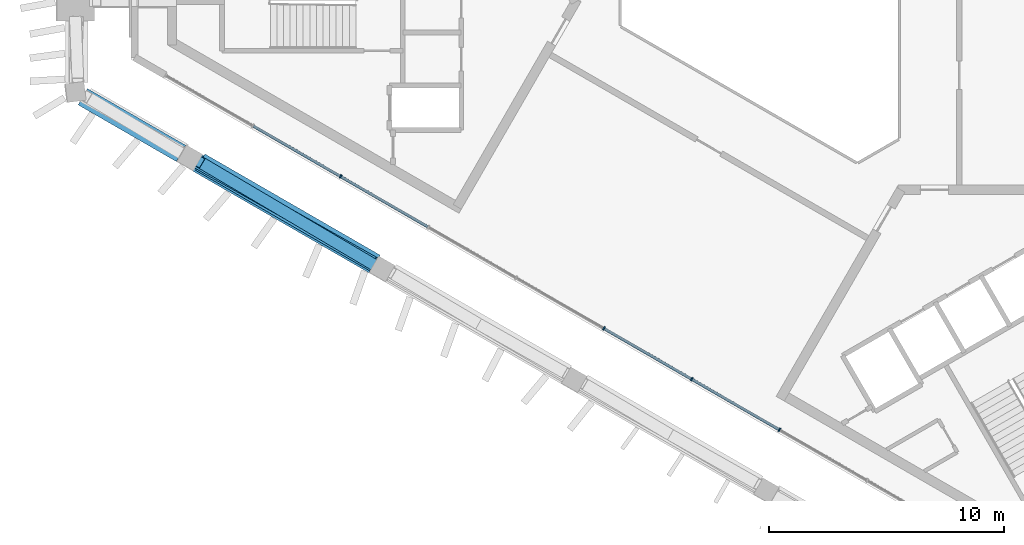
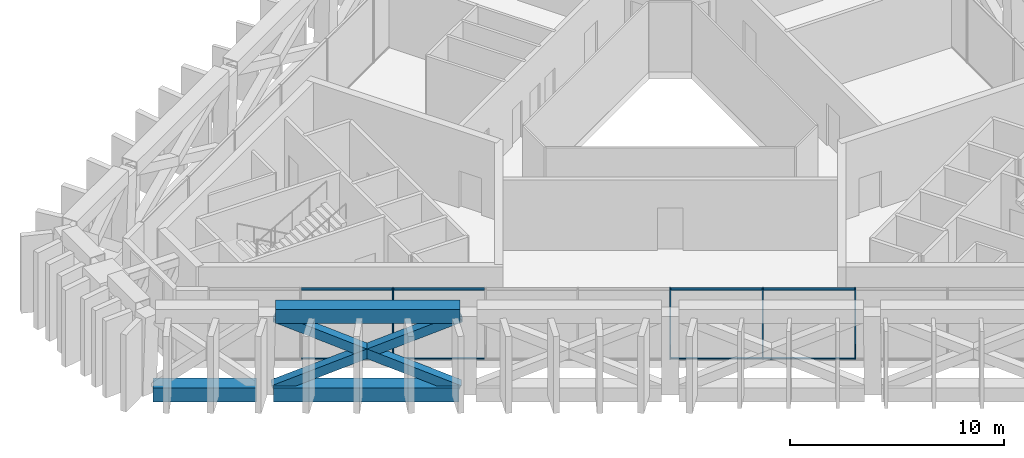
# One storey, part 2 of 12: 17 members, 1 element without a shape of its own.
"""IFC4 building model written with IfcOpenShell, lengths in metres."""

from ifc_helpers import new_model, si_unit, direction, frame, origin, origin_2d, place, context, subcontext, project, spatial, rectangle, hollow_rectangle, extrude, material, layer, layer_set, material_profile, profile_set, type_object, element, aggregate, save


model = new_model("IFC4")

# Units and contexts
model_context = context("Model", 3, precision=1e-05, world=origin(), true_north=direction((0.0, 1.0)))
body_context = subcontext(model_context, "Body", "Model", "MODEL_VIEW")
ifc_project = project(units=[si_unit("LENGTHUNIT", "METRE"), si_unit("AREAUNIT", "SQUARE_METRE"), si_unit("VOLUMEUNIT", "CUBIC_METRE"), si_unit("PLANEANGLEUNIT", "RADIAN"), si_unit("MASSUNIT", "GRAM", prefix="KILO")], contexts=[model_context])

# Site, building, storey
site_placement = place(None, origin())
site = spatial("IfcSite", under=ifc_project, at=site_placement, CompositionType="ELEMENT")
building_placement = place(site_placement, origin())
building = spatial("IfcBuilding", under=site, at=building_placement, Name="Jabali Bay Hotel Tower and Convention Centre", CompositionType="ELEMENT")
storey_placement = place(building_placement, frame((0.0, 0.0, 300.39990234375)))
storey = spatial("IfcBuildingStorey", under=building, at=storey_placement, Name="L74", CompositionType="ELEMENT", Elevation=300.39990234375)

# Members
ifc_material_1 = material(Name="Steel Q420GJC", Category="steel")
ifc_material_profile_1 = material_profile(ifc_material_1, hollow_rectangle(XDim=0.5, YDim=0.5, WallThickness=0.030029296875, at=origin_2d()), Name="Belt brace 500x500x30")
ifc_profile_set_1 = profile_set([ifc_material_profile_1], Name="Steel Q420GJC")
member_type_1 = type_object("IfcMemberType", Name="Belt brace 500x500x30", PredefinedType="BRACE", material=ifc_profile_set_1)
member_1_placement = place(storey_placement, frame((49.674072265625, 73.159423828125, 0.185302734375), z_axis=(0.790089140846, -0.44637401894, 0.420130199738), x_axis=(0.491891798651, 0.870656337724, 0.0)))
element("IfcMember", 1, at=member_1_placement, inside=storey, type_object=member_type_1, Name="Belt brace T6 F2.1-F2.2 x1", PredefinedType="BRACE", context=body_context, shape_type="SweptSolid", body=[
    extrude(hollow_rectangle(XDim=0.5, YDim=0.5, WallThickness=0.030029296875, at=origin_2d()), origin(), (0.0, 0.0, 1.0), 9.591064453125),
])
member_2_placement = place(storey_placement, frame((57.170654296875, 68.831298828125, 0.18798828125), z_axis=(-0.779461615758, 0.459930606789, 0.425327434454), x_axis=(-0.508188410768, -0.86124592258, 0.0)))
element("IfcMember", 2, at=member_2_placement, inside=storey, type_object=member_type_1, Name="Belt brace T6 F2.1-F2.2 x2", PredefinedType="BRACE", context=body_context, shape_type="SweptSolid", body=[
    extrude(hollow_rectangle(XDim=0.5, YDim=0.5, WallThickness=0.030029296875, at=origin_2d()), origin(), (0.0, 0.0, 1.0), 9.46142578125),
])
ifc_material_profile_2 = material_profile(ifc_material_1, hollow_rectangle(XDim=0.800048828125, YDim=0.800048828125, WallThickness=0.0400390625, at=origin_2d()), Name="Belt chord 800x800x40")
ifc_profile_set_2 = profile_set([ifc_material_profile_2], Name="Steel Q420GJC")
member_type_2 = type_object("IfcMemberType", Name="Belt chord 800x800x40", PredefinedType="CHORD", material=ifc_profile_set_2)
member_3_placement = place(storey_placement, frame((44.80078125, 75.968505859375, 0.0), z_axis=(0.866033069333, -0.499986722646, 0.0), x_axis=(0.499986722646, 0.866033069333, 0.0)))
element("IfcMember", 3, at=member_3_placement, inside=storey, type_object=member_type_2, Name="Belt chord T6 V4-F2.1", PredefinedType="CHORD", context=body_context, shape_type="SweptSolid", body=[
    extrude(hollow_rectangle(XDim=0.800048828125, YDim=0.800048828125, WallThickness=0.0400390625, at=origin_2d()), origin(), (0.0, 0.0, 1.0), 4.824951171875),
])
member_4_placement = place(storey_placement, frame((49.672119140625, 73.156005859375, 0.0), z_axis=(0.866026837124, -0.499997517375, 0.0), x_axis=(0.499997517375, 0.866026837124, 0.0)))
element("IfcMember", 4, at=member_4_placement, inside=storey, type_object=member_type_2, Name="Belt chord T6 F2.1-F2.2", PredefinedType="CHORD", context=body_context, shape_type="SweptSolid", body=[
    extrude(hollow_rectangle(XDim=0.800048828125, YDim=0.800048828125, WallThickness=0.0400390625, at=origin_2d()), origin(), (0.0, 0.0, 1.0), 8.65625),
])
member_5_placement = place(storey_placement, frame((49.7978515625, 73.18603515625, 4.400146484375), z_axis=(0.866021718376, -0.500006383261, 0.0), x_axis=(0.500006383261, 0.866021718376, 0.0)))
element("IfcMember", 5, at=member_5_placement, inside=storey, type_object=member_type_2, Name="Belt chord T6 F2.1-F2.2", PredefinedType="CHORD", context=body_context, shape_type="SweptSolid", body=[
    extrude(hollow_rectangle(XDim=0.800048828125, YDim=0.800048828125, WallThickness=0.0400390625, at=origin_2d()), origin(), (0.0, 0.0, 1.0), 8.609375),
])

# Curtain wall, members
ifc_material_2 = material(Name="Aluminium and glass", Category="aluminium")
ifc_layer = layer(ifc_material_2, 0.159912109375)
ifc_layer_set = layer_set([ifc_layer], Name="Aluminium and glass")
curtain_wall_type = type_object("IfcCurtainWallType", Name="CW3 curtain wall", PredefinedType="NOTDEFINED", material=ifc_layer_set)
curtain_wall_placement = place(storey_placement, origin())
curtain_wall = element("IfcCurtainWall", 6, at=curtain_wall_placement, inside=storey, type_object=curtain_wall_type, Name="CW3 curtain wall south-west face L74", PredefinedType="NOTDEFINED")
ifc_material_3 = material(Name="Aluminium", Category="aluminium")
ifc_material_profile_3 = material_profile(ifc_material_3, rectangle(XDim=0.159912109375, YDim=0.06005859375, at=origin_2d()), Name="CW3 mullion 60 x 160")
ifc_profile_set_3 = profile_set([ifc_material_profile_3], Name="Aluminium")
member_type_3 = type_object("IfcMemberType", Name="CW3 mullion 60 x 160", PredefinedType="MULLION", material=ifc_profile_set_3)
member_6_placement = place(storey_placement, frame((74.449951171875, 61.795166015625, 0.0), z_axis=(0.0, 0.0, 1.0), x_axis=(-0.500000004882, -0.866025400966, 0.0)))
member_6 = element("IfcMember", 7, at=member_6_placement, type_object=member_type_3, Name="CW3 mullion 4", PredefinedType="MULLION", context=body_context, shape_type="SweptSolid", body=[
    extrude(rectangle(XDim=0.159912109375, YDim=0.06005859375, at=origin_2d()), origin(), (0.0, 0.0, 1.0), 4.0),
])
member_7_placement = place(storey_placement, frame((70.71484375, 63.95166015625, 0.0), z_axis=(0.0, 0.0, 1.0), x_axis=(-0.500000004882, -0.866025400966, 0.0)))
member_7 = element("IfcMember", 8, at=member_7_placement, type_object=member_type_3, Name="CW3 mullion 5", PredefinedType="MULLION", context=body_context, shape_type="SweptSolid", body=[
    extrude(rectangle(XDim=0.159912109375, YDim=0.06005859375, at=origin_2d()), origin(), (0.0, 0.0, 1.0), 4.0),
])
member_8_placement = place(storey_placement, frame((66.9794921875, 66.108154296875, 0.0), z_axis=(0.0, 0.0, 1.0), x_axis=(-0.500000004882, -0.866025400966, 0.0)))
member_8 = element("IfcMember", 9, at=member_8_placement, type_object=member_type_3, Name="CW3 mullion 6", PredefinedType="MULLION", context=body_context, shape_type="SweptSolid", body=[
    extrude(rectangle(XDim=0.159912109375, YDim=0.06005859375, at=origin_2d()), origin(), (0.0, 0.0, 1.0), 4.0),
])
member_9_placement = place(storey_placement, frame((55.77392578125, 72.57763671875, 0.0), z_axis=(0.0, 0.0, 1.0), x_axis=(-0.500000004882, -0.866025400966, 0.0)))
member_9 = element("IfcMember", 10, at=member_9_placement, type_object=member_type_3, Name="CW3 mullion 9", PredefinedType="MULLION", context=body_context, shape_type="SweptSolid", body=[
    extrude(rectangle(XDim=0.159912109375, YDim=0.06005859375, at=origin_2d()), origin(), (0.0, 0.0, 1.0), 4.0),
])
ifc_material_profile_4 = material_profile(ifc_material_3, rectangle(XDim=0.1201171875, YDim=0.06005859375, at=origin_2d()), Name="CW3 transom 60 x 120")
ifc_profile_set_4 = profile_set([ifc_material_profile_4], Name="Aluminium")
member_type_4 = type_object("IfcMemberType", Name="CW3 transom 60 x 120", PredefinedType="USERDEFINED", material=ifc_profile_set_4)
member_10_placement = place(storey_placement, frame((74.424072265625, 61.81005859375, 0.030029296875), z_axis=(-0.866037421778, 0.499979183647, 0.0), x_axis=(-0.499979183647, -0.866037421778, 0.0)))
member_10 = element("IfcMember", 11, at=member_10_placement, type_object=member_type_4, Name="CW3 transom 4.1", ObjectType="TRANSOM", PredefinedType="USERDEFINED", context=body_context, shape_type="SweptSolid", body=[
    extrude(rectangle(XDim=0.1201171875, YDim=0.06005859375, at=origin_2d()), origin(), (0.0, 0.0, 1.0), 4.253173828125),
])
member_11_placement = place(storey_placement, frame((74.424072265625, 61.81005859375, 3.97021484375), z_axis=(-0.866037421778, 0.499979183647, 0.0), x_axis=(-0.499979183647, -0.866037421778, 0.0)))
member_11 = element("IfcMember", 12, at=member_11_placement, type_object=member_type_4, Name="CW3 transom 4.2", ObjectType="TRANSOM", PredefinedType="USERDEFINED", context=body_context, shape_type="SweptSolid", body=[
    extrude(rectangle(XDim=0.1201171875, YDim=0.06005859375, at=origin_2d()), origin(), (0.0, 0.0, 1.0), 4.253173828125),
])
member_12_placement = place(storey_placement, frame((70.688720703125, 63.966552734375, 0.030029296875), z_axis=(-0.865998213272, 0.500047092391, 0.0), x_axis=(-0.500047092391, -0.865998213272, 0.0)))
member_12 = element("IfcMember", 13, at=member_12_placement, type_object=member_type_4, Name="CW3 transom 5.1", ObjectType="TRANSOM", PredefinedType="USERDEFINED", context=body_context, shape_type="SweptSolid", body=[
    extrude(rectangle(XDim=0.1201171875, YDim=0.06005859375, at=origin_2d()), origin(), (0.0, 0.0, 1.0), 4.2529296875),
])
member_13_placement = place(storey_placement, frame((70.688720703125, 63.966552734375, 3.97021484375), z_axis=(-0.865998213272, 0.500047092391, 0.0), x_axis=(-0.500047092391, -0.865998213272, 0.0)))
member_13 = element("IfcMember", 14, at=member_13_placement, type_object=member_type_4, Name="CW3 transom 5.2", ObjectType="TRANSOM", PredefinedType="USERDEFINED", context=body_context, shape_type="SweptSolid", body=[
    extrude(rectangle(XDim=0.1201171875, YDim=0.06005859375, at=origin_2d()), origin(), (0.0, 0.0, 1.0), 4.2529296875),
])
member_14_placement = place(storey_placement, frame((59.483154296875, 70.436279296875, 0.030029296875), z_axis=(-0.866037421778, 0.499979183647, 0.0), x_axis=(-0.499979183647, -0.866037421778, 0.0)))
member_14 = element("IfcMember", 15, at=member_14_placement, type_object=member_type_4, Name="CW3 transom 8.1", ObjectType="TRANSOM", PredefinedType="USERDEFINED", context=body_context, shape_type="SweptSolid", body=[
    extrude(rectangle(XDim=0.1201171875, YDim=0.06005859375, at=origin_2d()), origin(), (0.0, 0.0, 1.0), 4.253173828125),
])
member_15_placement = place(storey_placement, frame((59.483154296875, 70.436279296875, 3.97021484375), z_axis=(-0.866037421778, 0.499979183647, 0.0), x_axis=(-0.499979183647, -0.866037421778, 0.0)))
member_15 = element("IfcMember", 16, at=member_15_placement, type_object=member_type_4, Name="CW3 transom 8.2", ObjectType="TRANSOM", PredefinedType="USERDEFINED", context=body_context, shape_type="SweptSolid", body=[
    extrude(rectangle(XDim=0.1201171875, YDim=0.06005859375, at=origin_2d()), origin(), (0.0, 0.0, 1.0), 4.253173828125),
])
member_16_placement = place(storey_placement, frame((55.747802734375, 72.5927734375, 0.030029296875), z_axis=(-0.86602307118, 0.500004040168, 0.0), x_axis=(-0.500004040168, -0.86602307118, 0.0)))
member_16 = element("IfcMember", 17, at=member_16_placement, type_object=member_type_4, Name="CW3 transom 9.1", ObjectType="TRANSOM", PredefinedType="USERDEFINED", context=body_context, shape_type="SweptSolid", body=[
    extrude(rectangle(XDim=0.1201171875, YDim=0.06005859375, at=origin_2d()), origin(), (0.0, 0.0, 1.0), 4.2529296875),
])
member_17_placement = place(storey_placement, frame((55.747802734375, 72.5927734375, 3.97021484375), z_axis=(-0.86602307118, 0.500004040168, 0.0), x_axis=(-0.500004040168, -0.86602307118, 0.0)))
member_17 = element("IfcMember", 18, at=member_17_placement, type_object=member_type_4, Name="CW3 transom 9.2", ObjectType="TRANSOM", PredefinedType="USERDEFINED", context=body_context, shape_type="SweptSolid", body=[
    extrude(rectangle(XDim=0.1201171875, YDim=0.06005859375, at=origin_2d()), origin(), (0.0, 0.0, 1.0), 4.2529296875),
])
aggregate(curtain_wall, [member_6, member_7, member_8, member_9, member_10, member_11, member_12, member_13, member_14, member_15, member_16, member_17])

save(model, "model.ifc")
